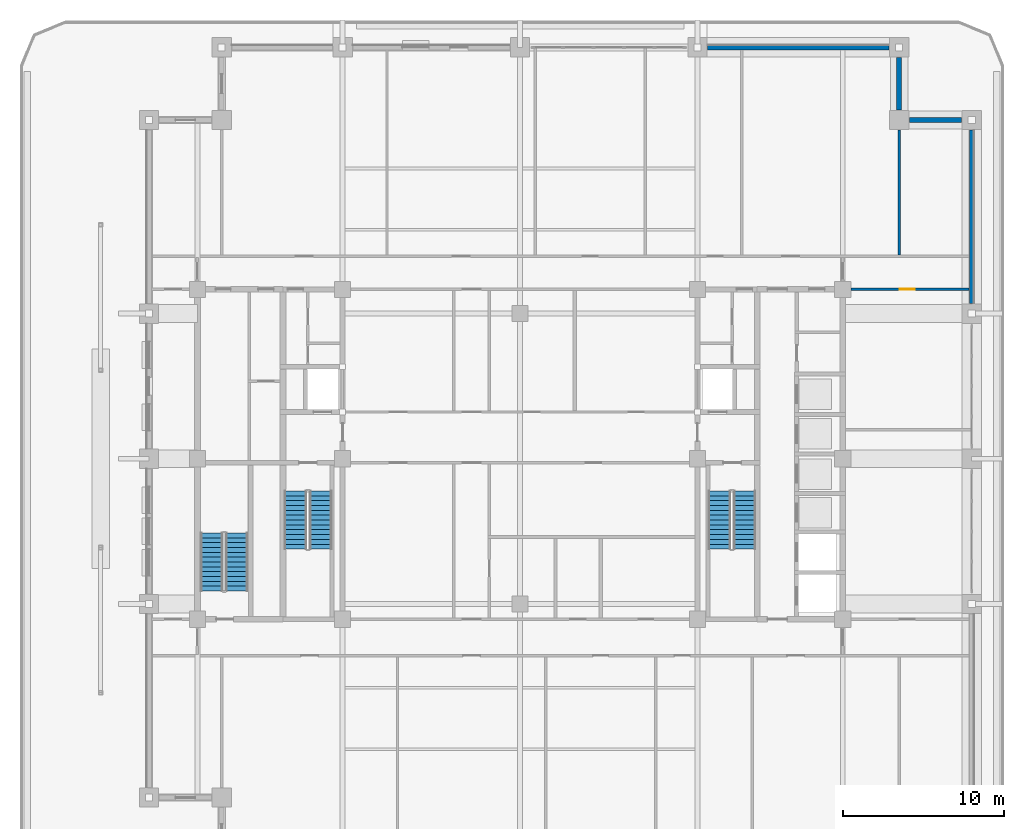
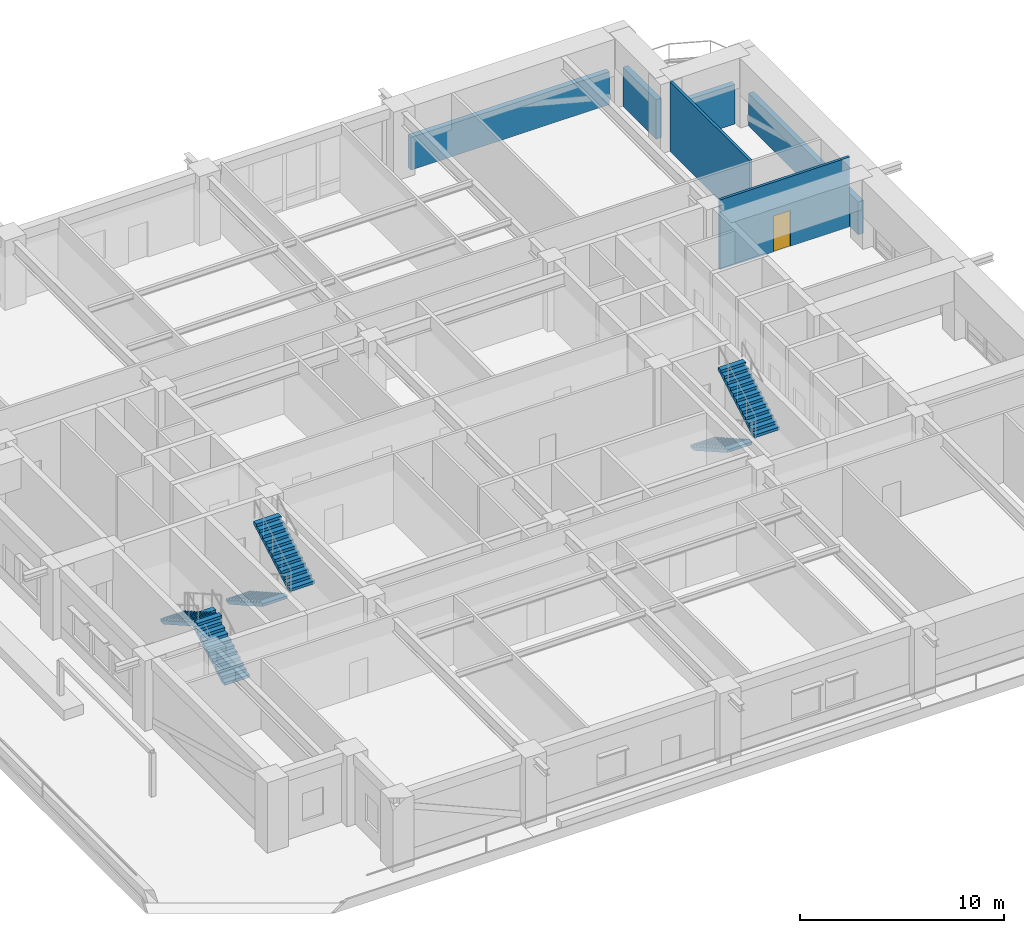
# One storey, part 12 of 21: 6 stair flights, 6 walls, 1 door, 1 opening, 3 elements without a shape of their own.
"""IFC4 building model written with IfcOpenShell, lengths in metres."""

from ifc_helpers import new_model, si_unit, direction, frame, frame_2d, origin, place, context, subcontext, project, spatial, polyline, rectangle, outline, extrude, material, layer, layer_set, type_object, element, fill, aggregate, save


model = new_model("IFC4")

# Units and contexts
model_context = context("Model", 3, precision=1e-05, world=origin(), true_north=direction((0.0, 1.0)))
body_context = subcontext(model_context, "Body", "Model", "MODEL_VIEW")
ifc_project = project(units=[si_unit("LENGTHUNIT", "METRE"), si_unit("AREAUNIT", "SQUARE_METRE"), si_unit("VOLUMEUNIT", "CUBIC_METRE"), si_unit("PLANEANGLEUNIT", "RADIAN"), si_unit("MASSUNIT", "GRAM", prefix="KILO")], contexts=[model_context])

# Site, building, storey
site_placement = place(None, origin())
site = spatial("IfcSite", under=ifc_project, at=site_placement, CompositionType="ELEMENT")
building_placement = place(site_placement, origin())
building = spatial("IfcBuilding", under=site, at=building_placement, Name="Zulmaris Gate Convention Tower", CompositionType="ELEMENT")
storey_placement = place(building_placement, frame((0.0, 0.0, 86.93994140625)))
storey = spatial("IfcBuildingStorey", under=building, at=storey_placement, Name="L21", CompositionType="ELEMENT", Elevation=86.93994140625)

# Wall, opening, door
ifc_material_1 = material(Name="Gypsum Metal Stud Partition")
ifc_layer_1 = layer(ifc_material_1, 0.14990234375, Name="Gypsum Metal Stud Partition")
ifc_layer_set_1 = layer_set([ifc_layer_1], Name="Gypsum Metal Stud Partition")
wall_type_1 = type_object("IfcWallType", Name="PART-150", PredefinedType="PARTITIONING", material=ifc_layer_set_1)
wall_1_placement = place(storey_placement, frame((20.506103515625, 10.5, 0.0), z_axis=(0.0, 0.0, 1.0), x_axis=(1.0, 0.0, 0.0)))
wall_1 = element("IfcWall", 1, at=wall_1_placement, inside=storey, type_object=wall_type_1, Name="WL-L21-035", PredefinedType="PARTITIONING", context=body_context, shape_type="SweptSolid", body=[
    extrude(rectangle(XDim=7.328857421875, YDim=0.14990234375, at=frame_2d((3.66455078125, 0.0))), origin(), (0.0, 0.0, 1.0), 4.169921875),
])
opening_placement = place(wall_1_placement, frame((3.01904296875, 0.0, 0.0)))
opening = element("IfcOpeningElement", 2, at=opening_placement, cuts=wall_1, Name="Opening D-11", PredefinedType="OPENING", context=body_context, shape_type="SweptSolid", body=[
    extrude(rectangle(XDim=0.949951171875, YDim=2.14990234375, at=frame_2d((0.47509765625, 1.074951171875))), frame((0.0, 0.0849609375, 0.0), z_axis=(0.0, -1.0, 0.0), x_axis=(1.0, 0.0, 0.0)), (0.0, 0.0, 1.0), 0.169921875),
])
ifc_material_2 = material(Name="Fire-Rated Timber", Category="wood")
door_type = type_object("IfcDoorType", Name="DR-950-FD", OperationType="NOTDEFINED", PredefinedType="DOOR", material=ifc_material_2)
door_placement = place(opening_placement, origin())
door = element("IfcDoor", 3, at=door_placement, inside=storey, type_object=door_type, Name="L21 NE Partner Door 55", OperationType="SINGLE_SWING_LEFT", OverallHeight=2.14990234375, OverallWidth=0.949951171875, PredefinedType="DOOR", context=body_context, shape_type="SweptSolid", body=[
    extrude(rectangle(XDim=0.949951171875, YDim=2.14990234375, at=frame_2d((0.47509765625, 1.074951171875))), frame((0.0, 0.02490234375, 0.0), z_axis=(0.0, -1.0, 0.0), x_axis=(1.0, 0.0, 0.0)), (0.0, 0.0, 1.0), 0.050048828125),
])
fill(opening, door)

# Walls
wall_2_placement = place(storey_placement, frame((23.5, 12.6279296875, 0.0), z_axis=(0.0, 0.0, 1.0), x_axis=(0.0, 1.0, 0.0)))
element("IfcWall", 4, at=wall_2_placement, inside=storey, type_object=wall_type_1, Name="WL-L21-104", PredefinedType="PARTITIONING", context=body_context, shape_type="SweptSolid", body=[
    extrude(rectangle(XDim=7.76611328125, YDim=0.14990234375, at=frame_2d((3.883056640625, 0.0))), origin(), (0.0, 0.0, 1.0), 4.169921875),
])
ifc_material_3 = material(Name="Precast concrete C40/50", Category="concrete")
ifc_layer_2 = layer(ifc_material_3, 0.300048828125, Name="Precast concrete C40/50")
ifc_layer_set_2 = layer_set([ifc_layer_2], Name="Precast concrete C40/50")
wall_type_2 = type_object("IfcWallType", Name="PRECAST-PIER-300", PredefinedType="STANDARD", material=ifc_layer_set_2)
for number, where, z_axis, x_axis, name in (
    (5, (27.3701171875, 21.0, 0.0), (0.0, 0.0, 1.0), (-1.0, 0.0, 0.0), "EW-L21-NOTCH-NE1_0"),
    (6, (23.5, 21.6298828125, 0.0), (0.0, 0.0, 1.0), (0.0, 1.0, 0.0), "EW-L21-NOTCH-NE2_0"),
):
    element("IfcWall", number, at=place(storey_placement, frame(where, z_axis=z_axis, x_axis=x_axis)), inside=storey, type_object=wall_type_2, Name=name, PredefinedType="STANDARD", context=body_context, shape_type="SweptSolid", body=[
        extrude(rectangle(XDim=3.240234375, YDim=0.300048828125, at=frame_2d((1.6201171875, 0.0))), origin(), (0.0, 0.0, 1.0), 2.362060546875),
    ])
wall_3_placement = place(storey_placement, frame((22.8701171875, 25.5, 0.0), z_axis=(0.0, 0.0, 1.0), x_axis=(-1.0, 0.0, 0.0)))
element("IfcWall", 7, at=wall_3_placement, inside=storey, type_object=wall_type_2, Name="EW-L21-N-3_0", PredefinedType="STANDARD", context=body_context, shape_type="SweptSolid", body=[
    extrude(rectangle(XDim=11.240234375, YDim=0.300048828125, at=frame_2d((5.6201171875, 0.0))), origin(), (0.0, 0.0, 1.0), 1.9619140625),
])
wall_4_placement = place(storey_placement, frame((28.0, 9.6298828125, 0.0), z_axis=(0.0, 0.0, 1.0), x_axis=(0.0, 1.0, 0.0)))
element("IfcWall", 8, at=wall_4_placement, inside=storey, type_object=wall_type_2, Name="EW-L21-E-3_0", PredefinedType="STANDARD", context=body_context, shape_type="SweptSolid", body=[
    extrude(rectangle(XDim=10.740234375, YDim=0.300048828125, at=frame_2d((5.3701171875, 0.0))), origin(), (0.0, 0.0, 1.0), 1.9619140625),
])

# Stair, stair flights
ifc_material_4 = material(Name="Concrete C45/55", Category="concrete")
stair_type = type_object("IfcStairType", Name="ST-CORE-DOGLEG", PredefinedType="HALF_TURN_STAIR", material=ifc_material_4)
stair_1_placement = place(storey_placement, origin())
stair_1 = element("IfcStair", 9, at=stair_1_placement, inside=storey, type_object=stair_type, Name="L21 Core Exit Stair ST-1", PredefinedType="HALF_TURN_STAIR")
ifc_layer_3 = layer(ifc_material_4, 0.14990234375, Name="Concrete C45/55")
ifc_layer_set_3 = layer_set([ifc_layer_3], Name="Concrete C45/55")
stair_flight_type = type_object("IfcStairFlightType", Name="STF-RC150", PredefinedType="STRAIGHT", material=ifc_layer_set_3)
stair_flight_1_placement = place(storey_placement, frame((-13.919921875, -2.0, 0.0), z_axis=(0.0, 0.0, 1.0), x_axis=(0.0, -1.0, 0.0)))
stair_flight_1 = element("IfcStairFlight", 10, at=stair_flight_1_placement, type_object=stair_flight_type, Name="ST-1 flight 1", NumberOfRisers=13, NumberOfTreads=12, PredefinedType="STRAIGHT", RiserHeight=0.17, TreadLength=0.3, context=body_context, shape_type="SweptSolid", body=[
    extrude(outline(polyline([(0.0, 0.0), (0.0, 0.169921875), (0.300048828125, 0.169921875), (0.300048828125, 0.340087890625), (0.60009765625, 0.340087890625), (0.60009765625, 0.510009765625), (0.89990234375, 0.510009765625), (0.89990234375, 0.679931640625), (1.199951171875, 0.679931640625), (1.199951171875, 0.85009765625), (1.5, 0.85009765625), (1.5, 1.02001953125), (1.800048828125, 1.02001953125), (1.800048828125, 1.18994140625), (2.10009765625, 1.18994140625), (2.10009765625, 1.360107421875), (2.39990234375, 1.360107421875), (2.39990234375, 1.530029296875), (2.699951171875, 1.530029296875), (2.699951171875, 1.699951171875), (3.0, 1.699951171875), (3.0, 1.8701171875), (3.300048828125, 1.8701171875), (3.300048828125, 2.0400390625), (3.60009765625, 2.0400390625), (3.60009765625, 2.2099609375), (3.60009765625, 1.86767578125), (0.303955078125, 0.0), (0.0, 0.0)])), frame((0.0, 0.699951171875, 0.0), z_axis=(0.0, -1.0, 0.0), x_axis=(1.0, 0.0, 0.0)), (0.0, 0.0, 1.0), 1.39990234375),
])
stair_flight_2_placement = place(storey_placement, frame((-12.360107421875, -5.60009765625, 2.2099609375), z_axis=(0.0, 0.0, 1.0), x_axis=(0.0, 1.0, 0.0)))
stair_flight_2 = element("IfcStairFlight", 11, at=stair_flight_2_placement, type_object=stair_flight_type, Name="ST-1 flight 2", NumberOfRisers=13, NumberOfTreads=12, PredefinedType="STRAIGHT", RiserHeight=0.17, TreadLength=0.3, context=body_context, shape_type="SweptSolid", body=[
    extrude(outline(polyline([(0.0, 0.0), (0.0, 0.169921875), (0.300048828125, 0.169921875), (0.300048828125, 0.340087890625), (0.60009765625, 0.340087890625), (0.60009765625, 0.510009765625), (0.89990234375, 0.510009765625), (0.89990234375, 0.679931640625), (1.199951171875, 0.679931640625), (1.199951171875, 0.85009765625), (1.5, 0.85009765625), (1.5, 1.02001953125), (1.800048828125, 1.02001953125), (1.800048828125, 1.18994140625), (2.10009765625, 1.18994140625), (2.10009765625, 1.360107421875), (2.39990234375, 1.360107421875), (2.39990234375, 1.530029296875), (2.699951171875, 1.530029296875), (2.699951171875, 1.699951171875), (3.0, 1.699951171875), (3.0, 1.8701171875), (3.300048828125, 1.8701171875), (3.300048828125, 2.0400390625), (3.60009765625, 2.0400390625), (3.60009765625, 2.2099609375), (3.60009765625, 1.86767578125), (0.303955078125, 0.0), (0.0, 0.0)])), frame((0.0, 0.699951171875, 0.0), z_axis=(0.0, -1.0, 0.0), x_axis=(1.0, 0.0, 0.0)), (0.0, 0.0, 1.0), 1.39990234375),
])
aggregate(stair_1, [stair_flight_1, stair_flight_2])

stair_2_placement = place(storey_placement, origin())
stair_2 = element("IfcStair", 12, at=stair_2_placement, inside=storey, type_object=stair_type, Name="L21 Core Exit Stair ST-2", PredefinedType="HALF_TURN_STAIR")
stair_flight_3_placement = place(storey_placement, frame((12.360107421875, -2.0, 0.0), z_axis=(0.0, 0.0, 1.0), x_axis=(0.0, -1.0, 0.0)))
stair_flight_3 = element("IfcStairFlight", 13, at=stair_flight_3_placement, type_object=stair_flight_type, Name="ST-2 flight 1", NumberOfRisers=13, NumberOfTreads=12, PredefinedType="STRAIGHT", RiserHeight=0.17, TreadLength=0.3, context=body_context, shape_type="SweptSolid", body=[
    extrude(outline(polyline([(0.0, 0.0), (0.0, 0.169921875), (0.300048828125, 0.169921875), (0.300048828125, 0.340087890625), (0.60009765625, 0.340087890625), (0.60009765625, 0.510009765625), (0.89990234375, 0.510009765625), (0.89990234375, 0.679931640625), (1.199951171875, 0.679931640625), (1.199951171875, 0.85009765625), (1.5, 0.85009765625), (1.5, 1.02001953125), (1.800048828125, 1.02001953125), (1.800048828125, 1.18994140625), (2.10009765625, 1.18994140625), (2.10009765625, 1.360107421875), (2.39990234375, 1.360107421875), (2.39990234375, 1.530029296875), (2.699951171875, 1.530029296875), (2.699951171875, 1.699951171875), (3.0, 1.699951171875), (3.0, 1.8701171875), (3.300048828125, 1.8701171875), (3.300048828125, 2.0400390625), (3.60009765625, 2.0400390625), (3.60009765625, 2.2099609375), (3.60009765625, 1.86767578125), (0.303955078125, 0.0), (0.0, 0.0)])), frame((0.0, 0.699951171875, 0.0), z_axis=(0.0, -1.0, 0.0), x_axis=(1.0, 0.0, 0.0)), (0.0, 0.0, 1.0), 1.39990234375),
])
stair_flight_4_placement = place(storey_placement, frame((13.919921875, -5.60009765625, 2.2099609375), z_axis=(0.0, 0.0, 1.0), x_axis=(0.0, 1.0, 0.0)))
stair_flight_4 = element("IfcStairFlight", 14, at=stair_flight_4_placement, type_object=stair_flight_type, Name="ST-2 flight 2", NumberOfRisers=13, NumberOfTreads=12, PredefinedType="STRAIGHT", RiserHeight=0.17, TreadLength=0.3, context=body_context, shape_type="SweptSolid", body=[
    extrude(outline(polyline([(0.0, 0.0), (0.0, 0.169921875), (0.300048828125, 0.169921875), (0.300048828125, 0.340087890625), (0.60009765625, 0.340087890625), (0.60009765625, 0.510009765625), (0.89990234375, 0.510009765625), (0.89990234375, 0.679931640625), (1.199951171875, 0.679931640625), (1.199951171875, 0.85009765625), (1.5, 0.85009765625), (1.5, 1.02001953125), (1.800048828125, 1.02001953125), (1.800048828125, 1.18994140625), (2.10009765625, 1.18994140625), (2.10009765625, 1.360107421875), (2.39990234375, 1.360107421875), (2.39990234375, 1.530029296875), (2.699951171875, 1.530029296875), (2.699951171875, 1.699951171875), (3.0, 1.699951171875), (3.0, 1.8701171875), (3.300048828125, 1.8701171875), (3.300048828125, 2.0400390625), (3.60009765625, 2.0400390625), (3.60009765625, 2.2099609375), (3.60009765625, 1.86767578125), (0.303955078125, 0.0), (0.0, 0.0)])), frame((0.0, 0.699951171875, 0.0), z_axis=(0.0, -1.0, 0.0), x_axis=(1.0, 0.0, 0.0)), (0.0, 0.0, 1.0), 1.39990234375),
])
aggregate(stair_2, [stair_flight_3, stair_flight_4])

stair_3_placement = place(storey_placement, origin())
stair_3 = element("IfcStair", 15, at=stair_3_placement, inside=storey, type_object=stair_type, Name="L21 Core Exit Stair ST-3", PredefinedType="HALF_TURN_STAIR")
stair_flight_5_placement = place(storey_placement, frame((-17.56005859375, -8.199951171875, 0.0), z_axis=(0.0, 0.0, 1.0), x_axis=(0.0, 1.0, 0.0)))
stair_flight_5 = element("IfcStairFlight", 16, at=stair_flight_5_placement, type_object=stair_flight_type, Name="ST-3 flight 1", NumberOfRisers=13, NumberOfTreads=12, PredefinedType="STRAIGHT", RiserHeight=0.17, TreadLength=0.3, context=body_context, shape_type="SweptSolid", body=[
    extrude(outline(polyline([(0.0, 0.0), (0.0, 0.169921875), (0.300048828125, 0.169921875), (0.300048828125, 0.340087890625), (0.60009765625, 0.340087890625), (0.60009765625, 0.510009765625), (0.89990234375, 0.510009765625), (0.89990234375, 0.679931640625), (1.199951171875, 0.679931640625), (1.199951171875, 0.85009765625), (1.5, 0.85009765625), (1.5, 1.02001953125), (1.800048828125, 1.02001953125), (1.800048828125, 1.18994140625), (2.10009765625, 1.18994140625), (2.10009765625, 1.360107421875), (2.39990234375, 1.360107421875), (2.39990234375, 1.530029296875), (2.699951171875, 1.530029296875), (2.699951171875, 1.699951171875), (3.0, 1.699951171875), (3.0, 1.8701171875), (3.300048828125, 1.8701171875), (3.300048828125, 2.0400390625), (3.60009765625, 2.0400390625), (3.60009765625, 2.2099609375), (3.60009765625, 1.86767578125), (0.303955078125, 0.0), (0.0, 0.0)])), frame((0.0, 0.699951171875, 0.0), z_axis=(0.0, -1.0, 0.0), x_axis=(1.0, 0.0, 0.0)), (0.0, 0.0, 1.0), 1.39990234375),
])
stair_flight_6_placement = place(storey_placement, frame((-19.1201171875, -4.60009765625, 2.2099609375), z_axis=(0.0, 0.0, 1.0), x_axis=(0.0, -1.0, 0.0)))
stair_flight_6 = element("IfcStairFlight", 17, at=stair_flight_6_placement, type_object=stair_flight_type, Name="ST-3 flight 2", NumberOfRisers=13, NumberOfTreads=12, PredefinedType="STRAIGHT", RiserHeight=0.17, TreadLength=0.3, context=body_context, shape_type="SweptSolid", body=[
    extrude(outline(polyline([(0.0, 0.0), (0.0, 0.169921875), (0.300048828125, 0.169921875), (0.300048828125, 0.340087890625), (0.60009765625, 0.340087890625), (0.60009765625, 0.510009765625), (0.89990234375, 0.510009765625), (0.89990234375, 0.679931640625), (1.199951171875, 0.679931640625), (1.199951171875, 0.85009765625), (1.5, 0.85009765625), (1.5, 1.02001953125), (1.800048828125, 1.02001953125), (1.800048828125, 1.18994140625), (2.10009765625, 1.18994140625), (2.10009765625, 1.360107421875), (2.39990234375, 1.360107421875), (2.39990234375, 1.530029296875), (2.699951171875, 1.530029296875), (2.699951171875, 1.699951171875), (3.0, 1.699951171875), (3.0, 1.8701171875), (3.300048828125, 1.8701171875), (3.300048828125, 2.0400390625), (3.60009765625, 2.0400390625), (3.60009765625, 2.2099609375), (3.60009765625, 1.86767578125), (0.303955078125, 0.0), (0.0, 0.0)])), frame((0.0, 0.699951171875, 0.0), z_axis=(0.0, -1.0, 0.0), x_axis=(1.0, 0.0, 0.0)), (0.0, 0.0, 1.0), 1.39990234375),
])
aggregate(stair_3, [stair_flight_5, stair_flight_6])

save(model, "model.ifc")
